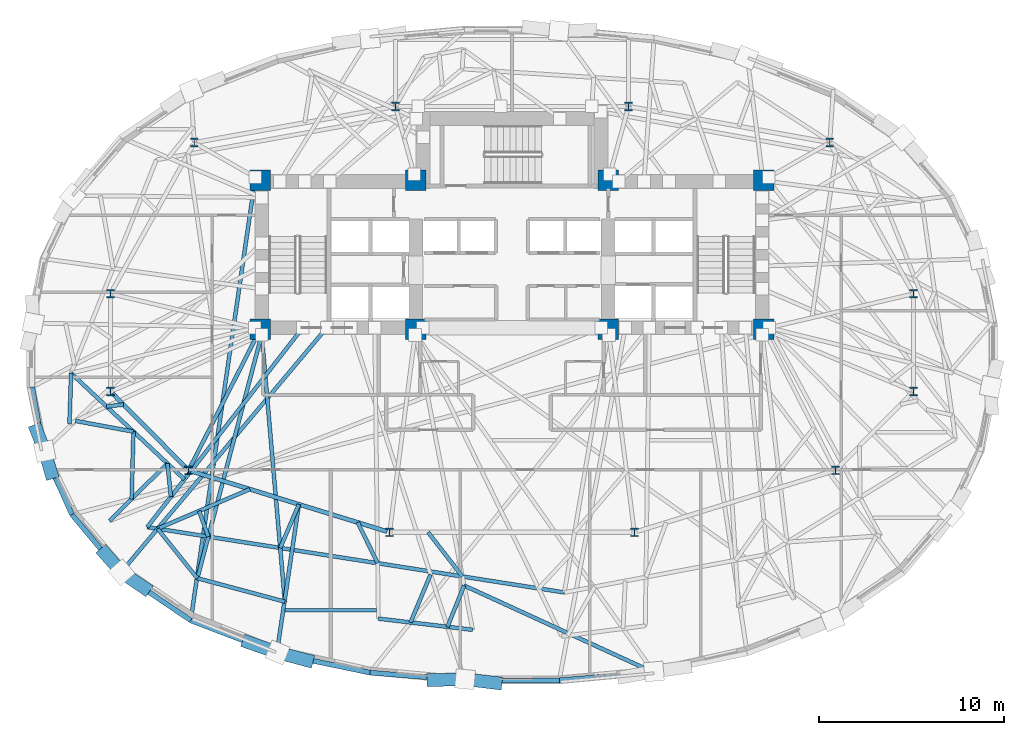
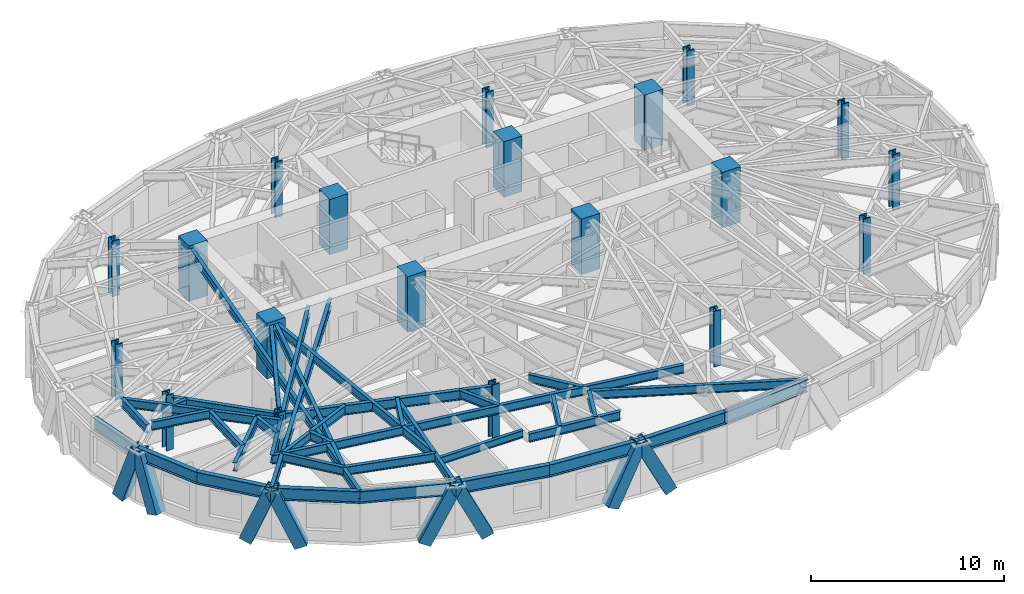
# One storey, part 1 of 14: 38 beams, 20 columns, 8 members.
"""IFC4 building model written with IfcOpenShell, lengths in metres."""

from ifc_helpers import new_model, si_unit, direction, frame, origin, origin_2d, place, context, subcontext, project, spatial, rectangle, hollow_rectangle, i_section, extrude, material, material_profile, profile_set, type_object, element, save


model = new_model("IFC4")

# Units and contexts
model_context = context("Model", 3, precision=1e-05, world=origin(), true_north=direction((0.0, 1.0)))
body_context = subcontext(model_context, "Body", "Model", "MODEL_VIEW")
ifc_project = project(units=[si_unit("LENGTHUNIT", "METRE"), si_unit("AREAUNIT", "SQUARE_METRE"), si_unit("VOLUMEUNIT", "CUBIC_METRE"), si_unit("PLANEANGLEUNIT", "RADIAN"), si_unit("MASSUNIT", "GRAM", prefix="KILO")], contexts=[model_context])

# Site, building, storey
site_placement = place(None, origin())
site = spatial("IfcSite", under=ifc_project, at=site_placement, CompositionType="ELEMENT")
building_placement = place(site_placement, origin())
building = spatial("IfcBuilding", under=site, at=building_placement, Name="Keldmark Tower", CompositionType="ELEMENT")
storey_placement = place(building_placement, frame((0.0, 0.0, 121.10009765625)))
storey = spatial("IfcBuildingStorey", under=building, at=storey_placement, Name="L32", CompositionType="ELEMENT", Elevation=121.10009765625)

# Columns
ifc_material_1 = material(Name="Concrete C70/85", Category="concrete")
ifc_material_profile_1 = material_profile(ifc_material_1, rectangle(XDim=1.10009765625, YDim=1.10009765625, at=origin_2d()), Name="RC1100X1100")
ifc_profile_set_1 = profile_set([ifc_material_profile_1], Name="Concrete C70/85")
column_type_1 = type_object("IfcColumnType", Name="Core Boundary Column RC1100", PredefinedType="COLUMN", material=ifc_profile_set_1)
for number, where, z_axis, x_axis, name in (
    (1, (-13.60009765625, 1.39990234375, 0.0), (0.0, 0.0, 1.0), (1.0, 0.0, 0.0), "L32 Core Boundary Column CC-W1"),
    (2, (-13.60009765625, 9.449951171875, 0.0), (0.0, 0.0, 1.0), (1.0, 0.0, 0.0), "L32 Core Boundary Column CC-W2"),
    (3, (-5.199951171875, 1.39990234375, 0.0), (0.0, 0.0, 1.0), (1.0, 0.0, 0.0), "L32 Core Boundary Column CC-W3"),
    (4, (-5.199951171875, 9.449951171875, 0.0), (0.0, 0.0, 1.0), (1.0, 0.0, 0.0), "L32 Core Boundary Column CC-W4"),
    (5, (5.199951171875, 1.39990234375, 0.0), (0.0, 0.0, 1.0), (1.0, 0.0, 0.0), "L32 Core Boundary Column CC-E1"),
    (6, (5.199951171875, 9.449951171875, 0.0), (0.0, 0.0, 1.0), (1.0, 0.0, 0.0), "L32 Core Boundary Column CC-E2"),
    (7, (13.60009765625, 1.39990234375, 0.0), (0.0, 0.0, 1.0), (1.0, 0.0, 0.0), "L32 Core Boundary Column CC-E3"),
    (8, (13.60009765625, 9.449951171875, 0.0), (0.0, 0.0, 1.0), (1.0, 0.0, 0.0), "L32 Core Boundary Column CC-E4"),
):
    element("IfcColumn", number, at=place(storey_placement, frame(where, z_axis=z_axis, x_axis=x_axis)), inside=storey, type_object=column_type_1, Name=name, PredefinedType="COLUMN", context=body_context, shape_type="SweptSolid", body=[
        extrude(rectangle(XDim=1.10009765625, YDim=1.10009765625, at=origin_2d()), origin(), (0.0, 0.0, 1.0), 3.5),
    ])
ifc_material_2 = material(Name="Steel ASTM A992 Grade 50", Category="steel")
ifc_material_profile_2 = material_profile(ifc_material_2, i_section(OverallWidth=0.424072265625, OverallDepth=0.47412109375, WebThickness=0.047607421875, FlangeThickness=0.0771484375, at=origin_2d()), Name="W14X426")
ifc_profile_set_2 = profile_set([ifc_material_profile_2], Name="Steel ASTM A992 Grade 50")
column_type_2 = type_object("IfcColumnType", Name="Tower Gravity Column W14X426", PredefinedType="COLUMN", material=ifc_profile_set_2)
for number, where, z_axis, x_axis, name in (
    (9, (21.697021484375, 3.309814453125, 0.0), (0.0, 0.0, 1.0), (1.0, 0.0, 0.0), "L32 Tower Gravity Column TC-E1"),
    (10, (17.1669921875, 11.478271484375, 0.0), (0.0, 0.0, 1.0), (1.0, 0.0, 0.0), "L32 Tower Gravity Column TC-E4"),
    (11, (6.298828125, 13.4326171875, 0.0), (0.0, 0.0, 1.0), (1.0, 0.0, 0.0), "L32 Tower Gravity Column TC-N2"),
    (12, (-6.298828125, 13.4326171875, 0.0), (0.0, 0.0, 1.0), (1.0, 0.0, 0.0), "L32 Tower Gravity Column TC-N1"),
    (13, (-17.1669921875, 11.478271484375, 0.0), (0.0, 0.0, 1.0), (1.0, 0.0, 0.0), "L32 Tower Gravity Column TC-W4"),
    (14, (-21.697021484375, 3.309814453125, 0.0), (0.0, 0.0, 1.0), (1.0, 0.0, 0.0), "L32 Tower Gravity Column TC-W1"),
    (15, (-21.697021484375, -1.9658203125, 0.0), (0.0, 0.0, 1.0), (1.0, 0.0, 0.0), "L32 Tower Gravity Column TC-W5"),
    (16, (-17.477294921875, -6.2294921875, 0.0), (0.0, 0.0, 1.0), (1.0, 0.0, 0.0), "L32 Tower Gravity Column TC-W2"),
    (17, (-6.61279296875, -9.579345703125, 0.0), (0.0, 0.0, 1.0), (1.0, 0.0, 0.0), "L32 Tower Gravity Column TC-W3"),
    (18, (6.61279296875, -9.579345703125, 0.0), (0.0, 0.0, 1.0), (1.0, 0.0, 0.0), "L32 Tower Gravity Column TC-E3"),
    (19, (17.477294921875, -6.2294921875, 0.0), (0.0, 0.0, 1.0), (1.0, 0.0, 0.0), "L32 Tower Gravity Column TC-E2"),
    (20, (21.697021484375, -1.9658203125, 0.0), (0.0, 0.0, 1.0), (1.0, 0.0, 0.0), "L32 Tower Gravity Column TC-E5"),
):
    element("IfcColumn", number, at=place(storey_placement, frame(where, z_axis=z_axis, x_axis=x_axis)), inside=storey, type_object=column_type_2, Name=name, PredefinedType="COLUMN", context=body_context, shape_type="SweptSolid", body=[
        extrude(i_section(OverallWidth=0.424072265625, OverallDepth=0.47412109375, WebThickness=0.047607421875, FlangeThickness=0.0771484375, at=origin_2d()), origin(), (0.0, 0.0, 1.0), 3.5),
    ])

# Beam
ifc_material_3 = material(Name="Steel ASTM A992 Grade 50", Category="steel")
ifc_material_profile_3 = material_profile(ifc_material_3, i_section(OverallWidth=0.19091796875, OverallDepth=0.45703125, WebThickness=0.009033203125, FlangeThickness=0.014404296875, at=origin_2d()), Name="W18X50")
ifc_profile_set_3 = profile_set([ifc_material_profile_3], Name="Steel ASTM A992 Grade 50")
beam_type_1 = type_object("IfcBeamType", Name="Composite Floor Joist W18X50", PredefinedType="JOIST", material=ifc_profile_set_3)
beam_1_placement = place(storey_placement, frame((-12.268798828125, -13.800048828125, 3.081298828125), z_axis=(1.0, 0.0, 0.0), x_axis=(0.0, 1.0, 0.0)))
element("IfcBeam", 21, at=beam_1_placement, inside=storey, type_object=beam_type_1, Name="L32 Composite Floor Joist J01", PredefinedType="JOIST", context=body_context, shape_type="SweptSolid", body=[
    extrude(i_section(OverallWidth=0.19091796875, OverallDepth=0.45703125, WebThickness=0.009033203125, FlangeThickness=0.014404296875, at=origin_2d()), origin(), (0.0, 0.0, 1.0), 4.94580078125),
])

# Members
ifc_material_4 = material(Name="Steel ASTM A572 Grade 50", Category="steel")
ifc_material_profile_4 = material_profile(ifc_material_4, hollow_rectangle(XDim=0.699951171875, YDim=0.699951171875, WallThickness=0.044921875, at=origin_2d()), Name="BOX700X700X45")
ifc_profile_set_4 = profile_set([ifc_material_profile_4], Name="Steel ASTM A572 Grade 50")
member_type = type_object("IfcMemberType", Name="Diagrid Zone 2 Brace BOX700X700X45", PredefinedType="BRACE", material=ifc_profile_set_4)
member_1_placement = place(storey_placement, frame((-25.69091796875, -4.075927734375, -0.27001953125), z_axis=(0.119528292581, -0.30681593497, 0.944233535372), x_axis=(0.931788058352, 0.363002774524, 0.0)))
element("IfcMember", 22, at=member_1_placement, inside=storey, type_object=member_type, Name="L32 Perimeter Diagrid Brace 09A", PredefinedType="BRACE", context=body_context, shape_type="SweptSolid", body=[
    extrude(hollow_rectangle(XDim=0.699951171875, YDim=0.699951171875, WallThickness=0.044921875, at=origin_2d()), origin(), (0.0, 0.0, 1.0), 3.664306640625),
])
member_2_placement = place(storey_placement, frame((-24.9072265625, -6.363525390625, -0.27001953125), z_axis=(-0.094848889854, 0.320065117797, 0.942635671117), x_axis=(-0.958786051377, -0.284129033513, 0.0)))
element("IfcMember", 23, at=member_2_placement, inside=storey, type_object=member_type, Name="L32 Perimeter Diagrid Brace 09B", PredefinedType="BRACE", context=body_context, shape_type="SweptSolid", body=[
    extrude(hollow_rectangle(XDim=0.699951171875, YDim=0.699951171875, WallThickness=0.044921875, at=origin_2d()), origin(), (0.0, 0.0, 1.0), 3.67041015625),
])
member_3_placement = place(storey_placement, frame((-22.008544921875, -10.703369140625, -0.27001953125), z_axis=(0.243824631969, -0.278759720366, 0.928893194693), x_axis=(0.752697279292, 0.658366771448, 0.0)))
element("IfcMember", 24, at=member_3_placement, inside=storey, type_object=member_type, Name="L32 Perimeter Diagrid Brace 10A", PredefinedType="BRACE", context=body_context, shape_type="SweptSolid", body=[
    extrude(hollow_rectangle(XDim=0.699951171875, YDim=0.699951171875, WallThickness=0.044921875, at=origin_2d()), origin(), (0.0, 0.0, 1.0), 3.724853515625),
])
member_4_placement = place(storey_placement, frame((-19.84814453125, -12.592529296875, -0.27001953125), z_axis=(-0.332918575116, 0.227606279536, 0.915074097469), x_axis=(-0.564379672586, -0.825515345207, 0.0)))
element("IfcMember", 25, at=member_4_placement, inside=storey, type_object=member_type, Name="L32 Perimeter Diagrid Brace 10B", PredefinedType="BRACE", context=body_context, shape_type="SweptSolid", body=[
    extrude(hollow_rectangle(XDim=0.699951171875, YDim=0.699951171875, WallThickness=0.044921875, at=origin_2d()), origin(), (0.0, 0.0, 1.0), 3.781005859375),
])
member_5_placement = place(storey_placement, frame((-14.25439453125, -15.522216796875, -0.27001953125), z_axis=(0.411436882351, -0.144152141216, 0.899966583837), x_axis=(0.3306553593, 0.943751573967, 0.0)))
element("IfcMember", 26, at=member_5_placement, inside=storey, type_object=member_type, Name="L32 Perimeter Diagrid Brace 11A", PredefinedType="BRACE", context=body_context, shape_type="SweptSolid", body=[
    extrude(hollow_rectangle(XDim=0.699951171875, YDim=0.699951171875, WallThickness=0.044921875, at=origin_2d()), origin(), (0.0, 0.0, 1.0), 3.844482421875),
])
member_6_placement = place(storey_placement, frame((-11.055908203125, -16.5, -0.27001953125), z_axis=(-0.422754143118, 0.111812188558, 0.899320281638), x_axis=(-0.255693124009, -0.966757997813, 0.0)))
element("IfcMember", 27, at=member_6_placement, inside=storey, type_object=member_type, Name="L32 Perimeter Diagrid Brace 11B", PredefinedType="BRACE", context=body_context, shape_type="SweptSolid", body=[
    extrude(hollow_rectangle(XDim=0.699951171875, YDim=0.699951171875, WallThickness=0.044921875, at=origin_2d()), origin(), (0.0, 0.0, 1.0), 3.847412109375),
])
member_7_placement = place(storey_placement, frame((-4.284423828125, -17.561279296875, -0.27001953125), z_axis=(0.451012628875, 0.010705410068, 0.892453361689), x_axis=(-0.023729702578, 0.999718410962, 0.0)))
element("IfcMember", 28, at=member_7_placement, inside=storey, type_object=member_type, Name="L32 Perimeter Diagrid Brace 12A", PredefinedType="BRACE", context=body_context, shape_type="SweptSolid", body=[
    extrude(hollow_rectangle(XDim=0.699951171875, YDim=0.699951171875, WallThickness=0.044921875, at=origin_2d()), origin(), (0.0, 0.0, 1.0), 3.876953125),
])
member_8_placement = place(storey_placement, frame((-0.85498046875, -17.71923828125, -0.27001953125), z_axis=(-0.438836141571, 0.05234638527, 0.897041078658), x_axis=(-0.118444892373, -0.992960627352, 0.0)))
element("IfcMember", 29, at=member_8_placement, inside=storey, type_object=member_type, Name="L32 Perimeter Diagrid Brace 12B", PredefinedType="BRACE", context=body_context, shape_type="SweptSolid", body=[
    extrude(hollow_rectangle(XDim=0.699951171875, YDim=0.699951171875, WallThickness=0.044921875, at=origin_2d()), origin(), (0.0, 0.0, 1.0), 3.857177734375),
])

# Beams
ifc_material_5 = material(Name="Steel ASTM A992 Grade 50", Category="steel")
ifc_material_profile_5 = material_profile(ifc_material_5, i_section(OverallWidth=0.22900390625, OverallDepth=0.612060546875, WebThickness=0.011962890625, FlangeThickness=0.01953125, at=origin_2d()), Name="W24X84")
ifc_profile_set_5 = profile_set([ifc_material_profile_5], Name="Steel ASTM A992 Grade 50")
beam_type_2 = type_object("IfcBeamType", Name="Primary Floor Girder W24X84", PredefinedType="BEAM", material=ifc_profile_set_5)
beam_2_placement = place(storey_placement, frame((-21.598388671875, -2.0654296875, 3.00390625), z_axis=(0.703425791323, -0.71076870788, 0.0), x_axis=(0.71076870788, 0.703425791323, 0.0)))
element("IfcBeam", 30, at=beam_2_placement, inside=storey, type_object=beam_type_2, Name="L32 Floor Ring Girder FG-R07", PredefinedType="BEAM", context=body_context, shape_type="SweptSolid", body=[
    extrude(i_section(OverallWidth=0.22900390625, OverallDepth=0.612060546875, WebThickness=0.011962890625, FlangeThickness=0.01953125, at=origin_2d()), origin(), (0.0, 0.0, 1.0), 5.71875),
])
beam_3_placement = place(storey_placement, frame((-17.343505859375, -6.270751953125, 3.00390625), z_axis=(0.955607954968, -0.294641199432, 0.0), x_axis=(0.294641199432, 0.955607954968, 0.0)))
element("IfcBeam", 31, at=beam_3_placement, inside=storey, type_object=beam_type_2, Name="L32 Floor Ring Girder FG-R08", PredefinedType="BEAM", context=body_context, shape_type="SweptSolid", body=[
    extrude(i_section(OverallWidth=0.22900390625, OverallDepth=0.612060546875, WebThickness=0.011962890625, FlangeThickness=0.01953125, at=origin_2d()), origin(), (0.0, 0.0, 1.0), 11.089111328125),
])
ifc_material_6 = material(Name="Steel ASTM A992 Grade 50", Category="steel")
ifc_material_profile_6 = material_profile(ifc_material_6, i_section(OverallWidth=0.2099609375, OverallDepth=0.537109375, WebThickness=0.010986328125, FlangeThickness=0.017333984375, at=origin_2d()), Name="W21X68")
ifc_profile_set_6 = profile_set([ifc_material_profile_6], Name="Steel ASTM A992 Grade 50")
beam_type_3 = type_object("IfcBeamType", Name="Radial Tie Girder W21X68", PredefinedType="BEAM", material=ifc_profile_set_6)
beam_4_placement = place(storey_placement, frame((-17.413818359375, -6.104736328125, 3.04150390625), z_axis=(0.453028637759, 0.891495963743, 0.0), x_axis=(-0.891495963743, 0.453028637759, 0.0)))
element("IfcBeam", 32, at=beam_4_placement, inside=storey, type_object=beam_type_3, Name="L32 Floor Radial Girder FG-C08", PredefinedType="BEAM", context=body_context, shape_type="SweptSolid", body=[
    extrude(i_section(OverallWidth=0.2099609375, OverallDepth=0.537109375, WebThickness=0.010986328125, FlangeThickness=0.017333984375, at=origin_2d()), origin(), (0.0, 0.0, 1.0), 8.09814453125),
])
beam_5_placement = place(storey_placement, frame((-23.8251953125, -0.98388671875, 3.04150390625), z_axis=(0.729913608685, -0.683539409146, 0.0), x_axis=(0.683539409146, 0.729913608685, 0.0)))
element("IfcBeam", 33, at=beam_5_placement, inside=storey, type_object=beam_type_3, Name="L32 Framing Pin Header PH-009", PredefinedType="BEAM", context=body_context, shape_type="SweptSolid", body=[
    extrude(i_section(OverallWidth=0.2099609375, OverallDepth=0.537109375, WebThickness=0.010986328125, FlangeThickness=0.017333984375, at=origin_2d()), origin(), (0.0, 0.0, 1.0), 8.391845703125),
])
beam_6_placement = place(storey_placement, frame((-11.30712890625, 1.47509765625, 3.04150390625), z_axis=(-0.61508289622, -0.788462447284, 0.0), x_axis=(0.788462447284, -0.61508289622, 0.0)))
element("IfcBeam", 34, at=beam_6_placement, inside=storey, type_object=beam_type_3, Name="L32 Sub-Ring Step Girder STP2-M08", PredefinedType="BEAM", context=body_context, shape_type="SweptSolid", body=[
    extrude(i_section(OverallWidth=0.2099609375, OverallDepth=0.537109375, WebThickness=0.010986328125, FlangeThickness=0.017333984375, at=origin_2d()), origin(), (0.0, 0.0, 1.0), 13.66455078125),
])
beam_7_placement = place(storey_placement, frame((-19.7119140625, -9.298828125, 3.04150390625), z_axis=(0.98795678855, -0.154730035731, 0.0), x_axis=(0.154730035731, 0.98795678855, 0.0)))
element("IfcBeam", 35, at=beam_7_placement, inside=storey, type_object=beam_type_3, Name="L32 Perimeter Collector Ring Beam CRG2-M08", PredefinedType="BEAM", context=body_context, shape_type="SweptSolid", body=[
    extrude(i_section(OverallWidth=0.2099609375, OverallDepth=0.537109375, WebThickness=0.010986328125, FlangeThickness=0.017333984375, at=origin_2d()), origin(), (0.0, 0.0, 1.0), 22.8173828125),
])
beam_8_placement = place(storey_placement, frame((-20.9951171875, -2.675048828125, 3.04150390625), z_axis=(-0.993271818223, -0.115806282746, 0.0), x_axis=(0.115806282746, -0.993271818223, 0.0)))
element("IfcBeam", 36, at=beam_8_placement, inside=storey, type_object=beam_type_3, Name="L32 Framing Pin Header PH-025", PredefinedType="BEAM", context=body_context, shape_type="SweptSolid", body=[
    extrude(i_section(OverallWidth=0.2099609375, OverallDepth=0.537109375, WebThickness=0.010986328125, FlangeThickness=0.017333984375, at=origin_2d()), origin(), (0.0, 0.0, 1.0), 0.9169921875),
])
beam_9_placement = place(storey_placement, frame((-23.8251953125, -0.98388671875, 3.04150390625), z_axis=(-0.031774044286, -0.999495077582, 0.0), x_axis=(0.999495077582, -0.031774044286, 0.0)))
element("IfcBeam", 37, at=beam_9_placement, inside=storey, type_object=beam_type_3, Name="L32 Local Collector Chord RT-18C", PredefinedType="BEAM", context=body_context, shape_type="SweptSolid", body=[
    extrude(i_section(OverallWidth=0.2099609375, OverallDepth=0.537109375, WebThickness=0.010986328125, FlangeThickness=0.017333984375, at=origin_2d()), origin(), (0.0, 0.0, 1.0), 2.727783203125),
])
beam_10_placement = place(storey_placement, frame((-20.456298828125, -4.138671875, 3.04150390625), z_axis=(-0.983371861783, 0.181603363, 0.0), x_axis=(-0.181603363, -0.983371861783, 0.0)))
element("IfcBeam", 38, at=beam_10_placement, inside=storey, type_object=beam_type_3, Name="L32 Framing Pin Header PH-026", PredefinedType="BEAM", context=body_context, shape_type="SweptSolid", body=[
    extrude(i_section(OverallWidth=0.2099609375, OverallDepth=0.537109375, WebThickness=0.010986328125, FlangeThickness=0.017333984375, at=origin_2d()), origin(), (0.0, 0.0, 1.0), 3.184814453125),
])
beam_11_placement = place(storey_placement, frame((-18.618896484375, -5.859619140625, 3.04150390625), z_axis=(0.104185345095, -0.9945578987, 0.0), x_axis=(0.9945578987, 0.104185345095, 0.0)))
element("IfcBeam", 39, at=beam_11_placement, inside=storey, type_object=beam_type_3, Name="L32 Framing Pin Header PH-027", PredefinedType="BEAM", context=body_context, shape_type="SweptSolid", body=[
    extrude(i_section(OverallWidth=0.2099609375, OverallDepth=0.537109375, WebThickness=0.010986328125, FlangeThickness=0.017333984375, at=origin_2d()), origin(), (0.0, 0.0, 1.0), 1.806640625),
])
beam_12_placement = place(storey_placement, frame((-18.618896484375, -5.859619140625, 3.04150390625), z_axis=(-0.710316074346, -0.703882855684, 0.0), x_axis=(0.703882855684, -0.710316074346, 0.0)))
element("IfcBeam", 40, at=beam_12_placement, inside=storey, type_object=beam_type_3, Name="L32 Local Collector Chord RT-19C", PredefinedType="BEAM", context=body_context, shape_type="SweptSolid", body=[
    extrude(i_section(OverallWidth=0.2099609375, OverallDepth=0.537109375, WebThickness=0.010986328125, FlangeThickness=0.017333984375, at=origin_2d()), origin(), (0.0, 0.0, 1.0), 4.402099609375),
])
beam_13_placement = place(storey_placement, frame((-20.456298828125, -4.138671875, 3.04150390625), z_axis=(-0.026893992268, -0.999638291173, 0.0), x_axis=(0.999638291173, -0.026893992268, 0.0)))
element("IfcBeam", 41, at=beam_13_placement, inside=storey, type_object=beam_type_3, Name="L32 Framing Pin Header PH-028", PredefinedType="BEAM", context=body_context, shape_type="SweptSolid", body=[
    extrude(i_section(OverallWidth=0.2099609375, OverallDepth=0.537109375, WebThickness=0.010986328125, FlangeThickness=0.017333984375, at=origin_2d()), origin(), (0.0, 0.0, 1.0), 3.64013671875),
])
beam_14_placement = place(storey_placement, frame((-14.164306640625, -7.2509765625, 3.04150390625), z_axis=(-0.919149687532, -0.39390843087, 0.0), x_axis=(0.39390843087, -0.919149687532, 0.0)))
element("IfcBeam", 42, at=beam_14_placement, inside=storey, type_object=beam_type_3, Name="L32 Framing Pin Header PH-029", PredefinedType="BEAM", context=body_context, shape_type="SweptSolid", body=[
    extrude(i_section(OverallWidth=0.2099609375, OverallDepth=0.537109375, WebThickness=0.010986328125, FlangeThickness=0.017333984375, at=origin_2d()), origin(), (0.0, 0.0, 1.0), 5.422607421875),
])
beam_15_placement = place(storey_placement, frame((-10.0107421875, 1.47509765625, 3.04150390625), z_axis=(-0.643756909361, -0.765230057989, 0.0), x_axis=(0.765230057989, -0.643756909361, 0.0)))
element("IfcBeam", 43, at=beam_15_placement, inside=storey, type_object=beam_type_3, Name="L32 Perimeter Radial Tie Girder RT-20", PredefinedType="BEAM", context=body_context, shape_type="SweptSolid", body=[
    extrude(i_section(OverallWidth=0.2099609375, OverallDepth=0.537109375, WebThickness=0.010986328125, FlangeThickness=0.017333984375, at=origin_2d()), origin(), (0.0, 0.0, 1.0), 17.30859375),
])
beam_16_placement = place(storey_placement, frame((-16.90576171875, -8.42578125, 3.04150390625), z_axis=(0.336105865743, -0.941824212373, 0.0), x_axis=(0.941824212373, 0.336105865743, 0.0)))
element("IfcBeam", 44, at=beam_16_placement, inside=storey, type_object=beam_type_3, Name="L32 Framing Pin Header PH-030", PredefinedType="BEAM", context=body_context, shape_type="SweptSolid", body=[
    extrude(i_section(OverallWidth=0.2099609375, OverallDepth=0.537109375, WebThickness=0.010986328125, FlangeThickness=0.017333984375, at=origin_2d()), origin(), (0.0, 0.0, 1.0), 1.47607421875),
])
beam_17_placement = place(storey_placement, frame((-13.52490234375, 1.10009765625, 3.04150390625), z_axis=(-0.255486336103, -0.966812666479, 0.0), x_axis=(0.966812666479, -0.255486336103, 0.0)))
element("IfcBeam", 45, at=beam_17_placement, inside=storey, type_object=beam_type_3, Name="L32 Intermediate Radial Step Girder RT-21M", PredefinedType="BEAM", context=body_context, shape_type="SweptSolid", body=[
    extrude(i_section(OverallWidth=0.2099609375, OverallDepth=0.537109375, WebThickness=0.010986328125, FlangeThickness=0.017333984375, at=origin_2d()), origin(), (0.0, 0.0, 1.0), 13.6123046875),
])
beam_18_placement = place(storey_placement, frame((-19.1484375, -9.386962890625, 3.04150390625), z_axis=(0.625918849992, -0.779888192771, 0.0), x_axis=(0.779888192771, 0.625918849992, 0.0)))
element("IfcBeam", 46, at=beam_18_placement, inside=storey, type_object=beam_type_3, Name="L32 Local Collector Chord RT-21C", PredefinedType="BEAM", context=body_context, shape_type="SweptSolid", body=[
    extrude(i_section(OverallWidth=0.2099609375, OverallDepth=0.537109375, WebThickness=0.010986328125, FlangeThickness=0.017333984375, at=origin_2d()), origin(), (0.0, 0.0, 1.0), 3.42822265625),
])
beam_19_placement = place(storey_placement, frame((-13.89990234375, 9.375, 3.04150390625), z_axis=(-0.144368399344, -0.989524009446, 0.0), x_axis=(0.989524009446, -0.144368399344, 0.0)))
element("IfcBeam", 47, at=beam_19_placement, inside=storey, type_object=beam_type_3, Name="L32 Perimeter Radial Tie Girder RT-21", PredefinedType="BEAM", context=body_context, shape_type="SweptSolid", body=[
    extrude(i_section(OverallWidth=0.2099609375, OverallDepth=0.537109375, WebThickness=0.010986328125, FlangeThickness=0.017333984375, at=origin_2d()), origin(), (0.0, 0.0, 1.0), 23.9677734375),
])
beam_20_placement = place(storey_placement, frame((-11.51513671875, -8.06787109375, 3.04150390625), z_axis=(-0.393873324744, -0.919164731729, 0.0), x_axis=(0.919164731729, -0.393873324744, 0.0)))
element("IfcBeam", 48, at=beam_20_placement, inside=storey, type_object=beam_type_3, Name="L32 Framing Pin Header PH-031", PredefinedType="BEAM", context=body_context, shape_type="SweptSolid", body=[
    extrude(i_section(OverallWidth=0.2099609375, OverallDepth=0.537109375, WebThickness=0.010986328125, FlangeThickness=0.017333984375, at=origin_2d()), origin(), (0.0, 0.0, 1.0), 2.563720703125),
])
beam_21_placement = place(storey_placement, frame((-13.52490234375, 1.10009765625, 3.04150390625), z_axis=(0.086465935243, -0.996254807789, 0.0), x_axis=(0.996254807789, 0.086465935243, 0.0)))
element("IfcBeam", 49, at=beam_21_placement, inside=storey, type_object=beam_type_3, Name="L32 Intermediate Radial Step Girder RT-22M", PredefinedType="BEAM", context=body_context, shape_type="SweptSolid", body=[
    extrude(i_section(OverallWidth=0.2099609375, OverallDepth=0.537109375, WebThickness=0.010986328125, FlangeThickness=0.017333984375, at=origin_2d()), origin(), (0.0, 0.0, 1.0), 14.48193359375),
])
beam_22_placement = place(storey_placement, frame((-17.002685546875, -12.060546875, 3.04150390625), z_axis=(0.96594137581, -0.258761006527, 0.0), x_axis=(0.258761006527, 0.96594137581, 0.0)))
element("IfcBeam", 50, at=beam_22_placement, inside=storey, type_object=beam_type_3, Name="L32 Local Collector Chord RT-22C", PredefinedType="BEAM", context=body_context, shape_type="SweptSolid", body=[
    extrude(i_section(OverallWidth=0.2099609375, OverallDepth=0.537109375, WebThickness=0.010986328125, FlangeThickness=0.017333984375, at=origin_2d()), origin(), (0.0, 0.0, 1.0), 4.896728515625),
])
beam_23_placement = place(storey_placement, frame((-11.51513671875, -8.06787109375, 3.04150390625), z_axis=(-0.146817036094, -0.989163665888, 0.0), x_axis=(0.989163665888, -0.146817036094, 0.0)))
element("IfcBeam", 51, at=beam_23_placement, inside=storey, type_object=beam_type_3, Name="L32 Perimeter Radial Tie Girder RT-22", PredefinedType="BEAM", context=body_context, shape_type="SweptSolid", body=[
    extrude(i_section(OverallWidth=0.2099609375, OverallDepth=0.537109375, WebThickness=0.010986328125, FlangeThickness=0.017333984375, at=origin_2d()), origin(), (0.0, 0.0, 1.0), 8.14306640625),
])
beam_24_placement = place(storey_placement, frame((-8.336181640625, -9.048095703125, 3.04150390625), z_axis=(0.439665735323, -0.898161478345, 0.0), x_axis=(0.898161478345, 0.439665735323, 0.0)))
element("IfcBeam", 52, at=beam_24_placement, inside=storey, type_object=beam_type_3, Name="L32 Framing Pin Header PH-032", PredefinedType="BEAM", context=body_context, shape_type="SweptSolid", body=[
    extrude(i_section(OverallWidth=0.2099609375, OverallDepth=0.537109375, WebThickness=0.010986328125, FlangeThickness=0.017333984375, at=origin_2d()), origin(), (0.0, 0.0, 1.0), 2.450439453125),
])
beam_25_placement = place(storey_placement, frame((-4.531005859375, -9.579345703125, 3.04150390625), z_axis=(0.612500939676, -0.790469859574, 0.0), x_axis=(0.790469859574, 0.612500939676, 0.0)))
element("IfcBeam", 53, at=beam_25_placement, inside=storey, type_object=beam_type_3, Name="L32 Framing Pin Header PH-033", PredefinedType="BEAM", context=body_context, shape_type="SweptSolid", body=[
    extrude(i_section(OverallWidth=0.2099609375, OverallDepth=0.537109375, WebThickness=0.010986328125, FlangeThickness=0.017333984375, at=origin_2d()), origin(), (0.0, 0.0, 1.0), 3.019287109375),
])
beam_26_placement = place(storey_placement, frame((-7.221435546875, -14.244140625, 3.04150390625), z_axis=(0.993041367893, -0.117766046264, 0.0), x_axis=(0.117766046264, 0.993041367893, 0.0)))
element("IfcBeam", 54, at=beam_26_placement, inside=storey, type_object=beam_type_3, Name="L32 Local Collector Chord RT-24C", PredefinedType="BEAM", context=body_context, shape_type="SweptSolid", body=[
    extrude(i_section(OverallWidth=0.2099609375, OverallDepth=0.537109375, WebThickness=0.010986328125, FlangeThickness=0.017333984375, at=origin_2d()), origin(), (0.0, 0.0, 1.0), 5.130859375),
])
beam_27_placement = place(storey_placement, frame((-2.587158203125, -12.456298828125, 3.04150390625), z_axis=(-0.374468083354, -0.92723980423, 0.0), x_axis=(0.92723980423, -0.374468083354, 0.0)))
element("IfcBeam", 55, at=beam_27_placement, inside=storey, type_object=beam_type_3, Name="L32 Framing Pin Header PH-034", PredefinedType="BEAM", context=body_context, shape_type="SweptSolid", body=[
    extrude(i_section(OverallWidth=0.2099609375, OverallDepth=0.537109375, WebThickness=0.010986328125, FlangeThickness=0.017333984375, at=origin_2d()), origin(), (0.0, 0.0, 1.0), 2.40576171875),
])
beam_28_placement = place(storey_placement, frame((-4.401611328125, -11.861572265625, 3.04150390625), z_axis=(-0.385183822835, -0.922839868355, 0.0), x_axis=(0.922839868355, -0.385183822835, 0.0)))
element("IfcBeam", 56, at=beam_28_placement, inside=storey, type_object=beam_type_3, Name="L32 Framing Pin Header PH-047", PredefinedType="BEAM", context=body_context, shape_type="SweptSolid", body=[
    extrude(i_section(OverallWidth=0.2099609375, OverallDepth=0.537109375, WebThickness=0.010986328125, FlangeThickness=0.017333984375, at=origin_2d()), origin(), (0.0, 0.0, 1.0), 2.805419921875),
])
beam_29_placement = place(storey_placement, frame((-2.587158203125, -12.456298828125, 3.04150390625), z_axis=(0.909048444872, -0.416690442505, 0.0), x_axis=(0.416690442505, 0.909048444872, 0.0)))
element("IfcBeam", 57, at=beam_29_placement, inside=storey, type_object=beam_type_3, Name="L32 Straddling Support Chord RT-25RB", PredefinedType="BEAM", context=body_context, shape_type="SweptSolid", body=[
    extrude(i_section(OverallWidth=0.2099609375, OverallDepth=0.537109375, WebThickness=0.010986328125, FlangeThickness=0.017333984375, at=origin_2d()), origin(), (0.0, 0.0, 1.0), 11.292724609375),
])
ifc_material_7 = material(Name="Steel ASTM A992 Grade 50", Category="steel")
ifc_material_profile_7 = material_profile(ifc_material_7, i_section(OverallWidth=0.26806640625, OverallDepth=0.77001953125, WebThickness=0.015625, FlangeThickness=0.025390625, at=origin_2d()), Name="W30X132")
ifc_profile_set_7 = profile_set([ifc_material_profile_7], Name="Steel ASTM A992 Grade 50")
beam_type_4 = type_object("IfcBeamType", Name="Spandrel Ring Beam W30X132", PredefinedType="SPANDREL", material=ifc_profile_set_7)
beam_30_placement = place(storey_placement, frame((-25.925048828125, -1.731201171875, 2.9248046875), z_axis=(0.173536650643, -0.984827411724, 0.0), x_axis=(0.984827411724, 0.173536650643, 0.0)))
element("IfcBeam", 58, at=beam_30_placement, inside=storey, type_object=beam_type_4, Name="L32 Perimeter Spandrel Ring Beam SRB-17", PredefinedType="SPANDREL", context=body_context, shape_type="SweptSolid", body=[
    extrude(i_section(OverallWidth=0.26806640625, OverallDepth=0.77001953125, WebThickness=0.015625, FlangeThickness=0.025390625, at=origin_2d()), origin(), (0.0, 0.0, 1.0), 3.5283203125),
])
beam_31_placement = place(storey_placement, frame((-25.312744140625, -5.2060546875, 2.9248046875), z_axis=(0.409859787314, -0.912148537653, 0.0), x_axis=(0.912148537653, 0.409859787314, 0.0)))
element("IfcBeam", 59, at=beam_31_placement, inside=storey, type_object=beam_type_4, Name="L32 Perimeter Spandrel Ring Beam SRB-18", PredefinedType="SPANDREL", context=body_context, shape_type="SweptSolid", body=[
    extrude(i_section(OverallWidth=0.26806640625, OverallDepth=0.77001953125, WebThickness=0.015625, FlangeThickness=0.025390625, at=origin_2d()), origin(), (0.0, 0.0, 1.0), 3.740234375),
])
beam_32_placement = place(storey_placement, frame((-23.77978515625, -8.61767578125, 2.9248046875), z_axis=(0.640114166037, -0.768279802181, 0.0), x_axis=(0.768279802181, 0.640114166037, 0.0)))
element("IfcBeam", 60, at=beam_32_placement, inside=storey, type_object=beam_type_4, Name="L32 Perimeter Spandrel Ring Beam SRB-19", PredefinedType="SPANDREL", context=body_context, shape_type="SweptSolid", body=[
    extrude(i_section(OverallWidth=0.26806640625, OverallDepth=0.77001953125, WebThickness=0.015625, FlangeThickness=0.025390625, at=origin_2d()), origin(), (0.0, 0.0, 1.0), 4.10302734375),
])
beam_33_placement = place(storey_placement, frame((-21.1533203125, -11.77001953125, 2.9248046875), z_axis=(0.827697593977, -0.561174387266, 0.0), x_axis=(0.561174387266, 0.827697593977, 0.0)))
element("IfcBeam", 61, at=beam_33_placement, inside=storey, type_object=beam_type_4, Name="L32 Perimeter Spandrel Ring Beam SRB-20", PredefinedType="SPANDREL", context=body_context, shape_type="SweptSolid", body=[
    extrude(i_section(OverallWidth=0.26806640625, OverallDepth=0.77001953125, WebThickness=0.015625, FlangeThickness=0.025390625, at=origin_2d()), origin(), (0.0, 0.0, 1.0), 4.582763671875),
])
beam_34_placement = place(storey_placement, frame((-17.360107421875, -14.341796875, 2.9248046875), z_axis=(0.933831312068, -0.357713685231, 0.0), x_axis=(0.357713685231, 0.933831312068, 0.0)))
element("IfcBeam", 62, at=beam_34_placement, inside=storey, type_object=beam_type_4, Name="L32 Perimeter Spandrel Ring Beam SRB-21", PredefinedType="SPANDREL", context=body_context, shape_type="SweptSolid", body=[
    extrude(i_section(OverallWidth=0.26806640625, OverallDepth=0.77001953125, WebThickness=0.015625, FlangeThickness=0.025390625, at=origin_2d()), origin(), (0.0, 0.0, 1.0), 4.978759765625),
])
beam_35_placement = place(storey_placement, frame((-12.710693359375, -16.122802734375, 2.9248046875), z_axis=(0.979340957224, -0.202215947698, 0.0), x_axis=(0.202215947698, 0.979340957224, 0.0)))
element("IfcBeam", 63, at=beam_35_placement, inside=storey, type_object=beam_type_4, Name="L32 Perimeter Spandrel Ring Beam SRB-22", PredefinedType="SPANDREL", context=body_context, shape_type="SweptSolid", body=[
    extrude(i_section(OverallWidth=0.26806640625, OverallDepth=0.77001953125, WebThickness=0.015625, FlangeThickness=0.025390625, at=origin_2d()), origin(), (0.0, 0.0, 1.0), 5.138427734375),
])
beam_36_placement = place(storey_placement, frame((-7.678466796875, -17.161865234375, 2.9248046875), z_axis=(0.996733078328, -0.080766147401, 0.0), x_axis=(0.080766147401, 0.996733078328, 0.0)))
element("IfcBeam", 64, at=beam_36_placement, inside=storey, type_object=beam_type_4, Name="L32 Perimeter Spandrel Ring Beam SRB-23", PredefinedType="SPANDREL", context=body_context, shape_type="SweptSolid", body=[
    extrude(i_section(OverallWidth=0.26806640625, OverallDepth=0.77001953125, WebThickness=0.015625, FlangeThickness=0.025390625, at=origin_2d()), origin(), (0.0, 0.0, 1.0), 5.141845703125),
])
beam_37_placement = place(storey_placement, frame((-2.553466796875, -17.5771484375, 2.9248046875), z_axis=(1.0, 0.0, 0.0), x_axis=(0.0, 1.0, 0.0)))
element("IfcBeam", 65, at=beam_37_placement, inside=storey, type_object=beam_type_4, Name="L32 Perimeter Spandrel Ring Beam SRB-24", PredefinedType="SPANDREL", context=body_context, shape_type="SweptSolid", body=[
    extrude(i_section(OverallWidth=0.26806640625, OverallDepth=0.77001953125, WebThickness=0.015625, FlangeThickness=0.025390625, at=origin_2d()), origin(), (0.0, 0.0, 1.0), 5.10693359375),
])
beam_38_placement = place(storey_placement, frame((2.553466796875, -17.5771484375, 2.9248046875), z_axis=(0.996733078328, 0.080766147401, 0.0), x_axis=(-0.080766147401, 0.996733078328, 0.0)))
element("IfcBeam", 66, at=beam_38_placement, inside=storey, type_object=beam_type_4, Name="L32 Perimeter Spandrel Ring Beam SRB-25", PredefinedType="SPANDREL", context=body_context, shape_type="SweptSolid", body=[
    extrude(i_section(OverallWidth=0.26806640625, OverallDepth=0.77001953125, WebThickness=0.015625, FlangeThickness=0.025390625, at=origin_2d()), origin(), (0.0, 0.0, 1.0), 5.141845703125),
])

save(model, "model.ifc")
